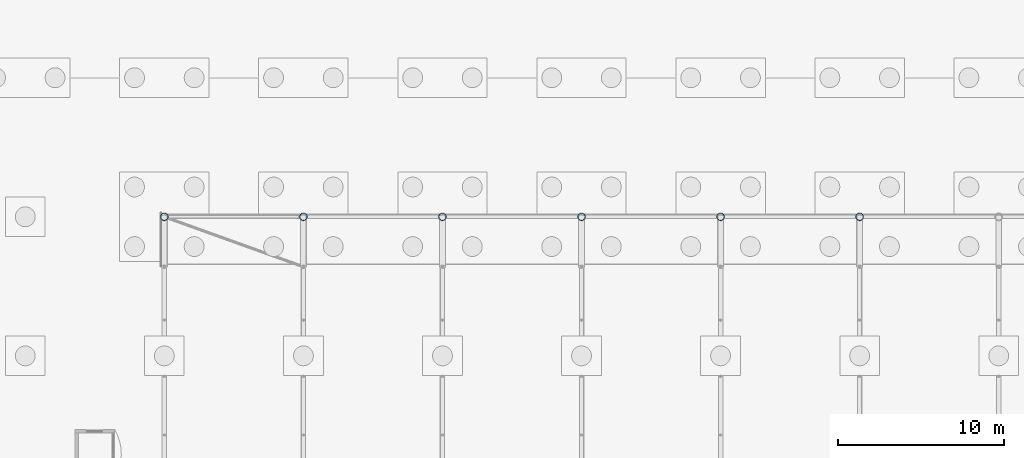
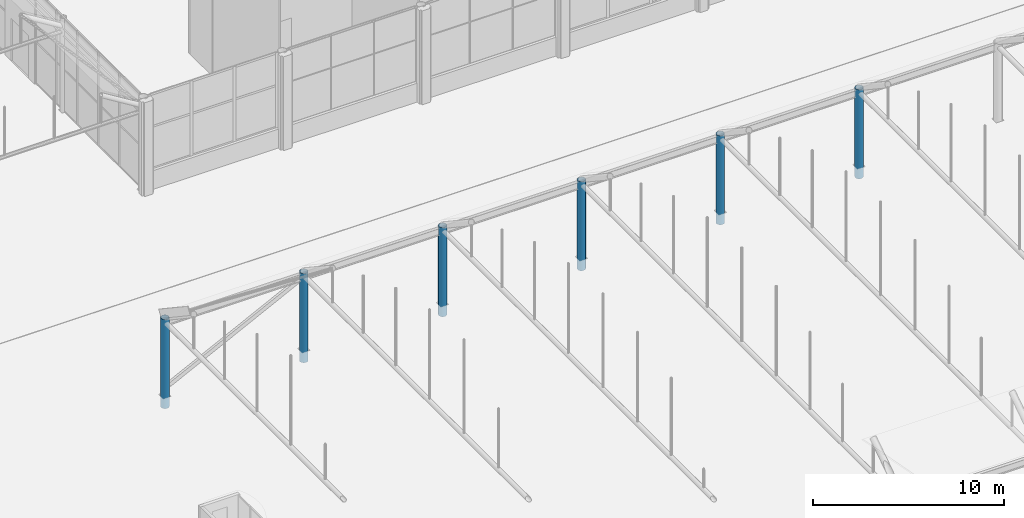
# One storey, part 8 of 212: 6 columns.
"""IFC4 building model written with IfcOpenShell, lengths in metres."""

from ifc_helpers import new_model, si_unit, direction, frame, origin, origin_2d, place, context, subcontext, project, spatial, hollow_circle, extrude, material, material_profile, profile_set, type_object, element, save


model = new_model("IFC4")

# Units and contexts
model_context = context("Model", 3, precision=1e-05, world=origin(), true_north=direction((0.0, 1.0)))
body_context = subcontext(model_context, "Body", "Model", "MODEL_VIEW")
ifc_project = project(units=[si_unit("LENGTHUNIT", "METRE"), si_unit("AREAUNIT", "SQUARE_METRE"), si_unit("VOLUMEUNIT", "CUBIC_METRE"), si_unit("PLANEANGLEUNIT", "RADIAN"), si_unit("MASSUNIT", "GRAM", prefix="KILO")], contexts=[model_context])

# Site, building, storey
site_placement = place(None, origin())
site = spatial("IfcSite", under=ifc_project, at=site_placement, CompositionType="ELEMENT")
building_placement = place(site_placement, origin())
building = spatial("IfcBuilding", under=site, at=building_placement, Name="Catenary Quay Ferry Terminal", CompositionType="ELEMENT")
storey_placement = place(building_placement, origin())
storey = spatial("IfcBuildingStorey", under=building, at=storey_placement, Name="L00", CompositionType="ELEMENT", Elevation=0.0)

# Columns
ifc_material = material(Name="Steel S355", Category="steel")
ifc_material_profile = material_profile(ifc_material, hollow_circle(Radius=0.228515625, WallThickness=0.01611328125, at=origin_2d()), Name="CHS 457x16")
ifc_profile_set = profile_set([ifc_material_profile], Name="Steel S355")
column_type = type_object("IfcColumnType", Name="C6 CHS 457x16", PredefinedType="COLUMN", material=ifc_profile_set)
for number, where, z_axis, x_axis, name in (
    (1, (16.800048828125, 50.39990234375, -0.699951171875), (0.0, 0.0, 1.0), (1.0, 0.0, 0.0), "Column C-C7 L00"),
    (2, (25.199951171875, 50.39990234375, -0.699951171875), (0.0, 0.0, 1.0), (1.0, 0.0, 0.0), "Column C-D7 L00"),
    (3, (33.60009765625, 50.39990234375, -0.699951171875), (0.0, 0.0, 1.0), (1.0, 0.0, 0.0), "Column C-E7 L00"),
    (4, (42.0, 50.39990234375, -0.699951171875), (0.0, 0.0, 1.0), (1.0, 0.0, 0.0), "Column C-F7 L00"),
    (5, (50.39990234375, 50.39990234375, -0.699951171875), (0.0, 0.0, 1.0), (1.0, 0.0, 0.0), "Column C-G7 L00"),
    (6, (58.800048828125, 50.39990234375, -0.699951171875), (0.0, 0.0, 1.0), (1.0, 0.0, 0.0), "Column C-H7 L00"),
):
    element("IfcColumn", number, at=place(storey_placement, frame(where, z_axis=z_axis, x_axis=x_axis)), inside=storey, type_object=column_type, Name=name, PredefinedType="COLUMN", context=body_context, shape_type="SweptSolid", body=[
        extrude(hollow_circle(Radius=0.228515625, WallThickness=0.01611328125, at=origin_2d()), origin(), (0.0, 0.0, 1.0), 5.699951171875),
    ])

save(model, "model.ifc")
